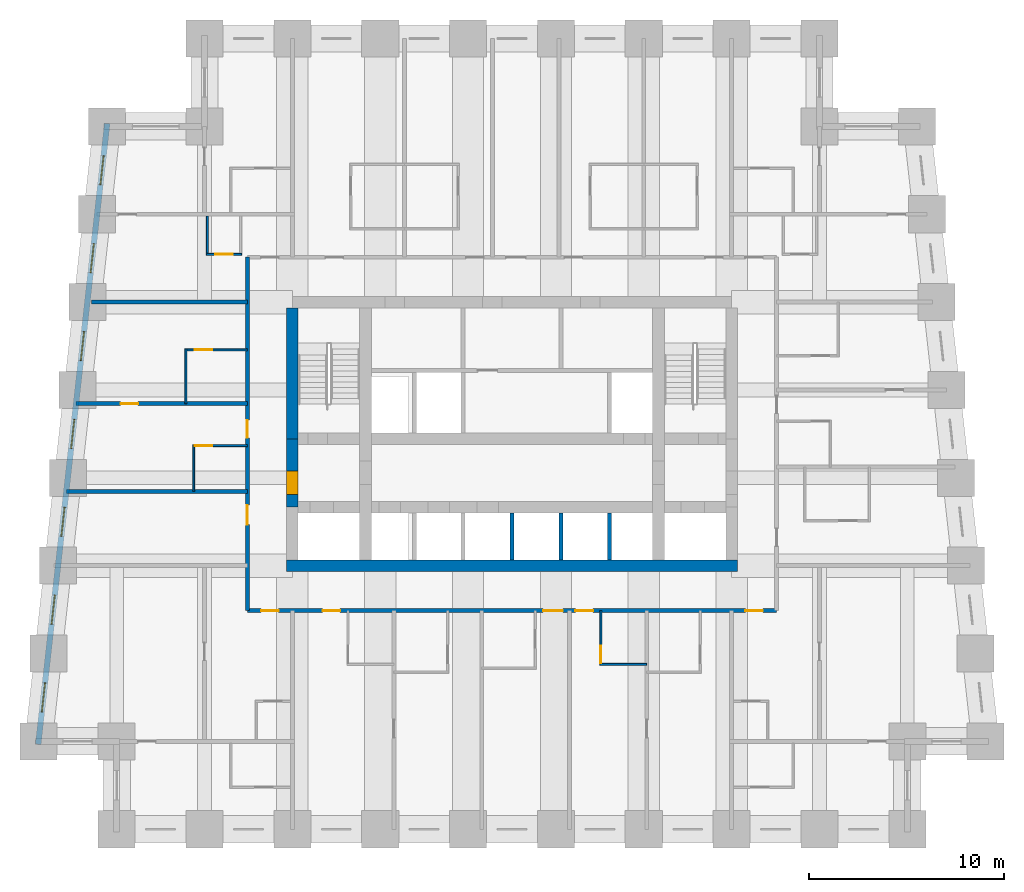
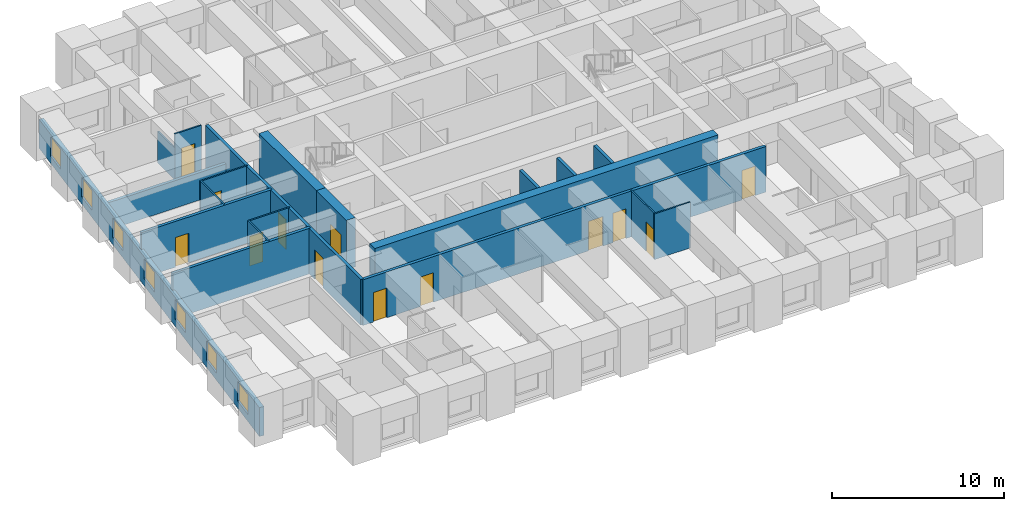
# One storey, part 3 of 8: 20 walls, 13 doors, 7 windows, 20 openings.
"""IFC4 building model written with IfcOpenShell, lengths in metres."""

from ifc_helpers import new_model, si_unit, direction, frame, frame_2d, origin, place, context, subcontext, project, spatial, rectangle, extrude, material, layer, layer_set, type_object, element, fill, save


model = new_model("IFC4")

# Units and contexts
model_context = context("Model", 3, precision=1e-05, world=origin(), true_north=direction((0.0, 1.0)))
body_context = subcontext(model_context, "Body", "Model", "MODEL_VIEW")
ifc_project = project(units=[si_unit("LENGTHUNIT", "METRE"), si_unit("AREAUNIT", "SQUARE_METRE"), si_unit("VOLUMEUNIT", "CUBIC_METRE"), si_unit("PLANEANGLEUNIT", "RADIAN"), si_unit("MASSUNIT", "GRAM", prefix="KILO")], contexts=[model_context])

# Site, building, storey
site_placement = place(None, origin())
site = spatial("IfcSite", under=ifc_project, at=site_placement, CompositionType="ELEMENT")
building_placement = place(site_placement, origin())
building = spatial("IfcBuilding", under=site, at=building_placement, Name="Kilele Tower Hotel", CompositionType="ELEMENT")
storey_placement = place(building_placement, frame((0.0, 0.0, 75.199951171875)))
storey = spatial("IfcBuildingStorey", under=building, at=storey_placement, Name="L18", CompositionType="ELEMENT", Elevation=75.199951171875)

# Wall
ifc_material_1 = material(Name="Moisture-resistant board")
ifc_layer_1 = layer(ifc_material_1, 0.10009765625)
ifc_layer_set_1 = layer_set([ifc_layer_1], Name="Moisture-resistant board")
wall_type_1 = type_object("IfcWallType", Name="Bathroom partition 100", PredefinedType="PLUMBINGWALL", material=ifc_layer_set_1)
wall_1_placement = place(storey_placement, frame((29.25, 8.449951171875, 0.0), z_axis=(0.0, 0.0, 1.0), x_axis=(1.0, 0.0, 0.0)))
element("IfcWall", 1, at=wall_1_placement, inside=storey, type_object=wall_type_1, Name="Bathroom partition 100 L18", PredefinedType="PLUMBINGWALL", context=body_context, shape_type="SweptSolid", body=[
    extrude(rectangle(XDim=2.39990234375, YDim=0.10009765625, at=frame_2d((1.199951171875, 0.0))), origin(), (0.0, 0.0, 1.0), 3.25),
])

# Wall, opening, door
wall_2_placement = place(storey_placement, frame((29.300048828125, 11.199951171875, 0.0), z_axis=(0.0, 0.0, 1.0), x_axis=(0.0, -1.0, 0.0)))
wall_2 = element("IfcWall", 2, at=wall_2_placement, inside=storey, type_object=wall_type_1, Name="Bathroom partition 100 L18", PredefinedType="PLUMBINGWALL", context=body_context, shape_type="SweptSolid", body=[
    extrude(rectangle(XDim=2.800048828125, YDim=0.10009765625, at=frame_2d((1.39990234375, 0.0))), origin(), (0.0, 0.0, 1.0), 3.25),
])
opening_1_placement = place(wall_2_placement, frame((2.699951171875, 0.0, 0.0), z_axis=(0.0, 0.0, 1.0), x_axis=(-1.0, 0.0, 0.0)))
opening_1 = element("IfcOpeningElement", 3, at=opening_1_placement, cuts=wall_2, Name="Opening D2A", PredefinedType="OPENING", context=body_context, shape_type="SweptSolid", body=[
    extrude(rectangle(XDim=0.89990234375, YDim=2.10009765625, at=frame_2d((0.449951171875, 1.050048828125))), frame((0.0, 0.06005859375, 0.0), z_axis=(0.0, -1.0, 0.0), x_axis=(1.0, 0.0, 0.0)), (0.0, 0.0, 1.0), 0.1201171875),
])
ifc_material_2 = material(Name="Timber door leaf in hardwood frame", Category="wood")
door_type_1 = type_object("IfcDoorType", Name="Bathroom door 900", OperationType="SINGLE_SWING_LEFT", PredefinedType="DOOR", material=ifc_material_2)
door_1_placement = place(opening_1_placement, origin())
door_1 = element("IfcDoor", 4, at=door_1_placement, inside=storey, type_object=door_type_1, Name="Bathroom door 1804B", OperationType="SINGLE_SWING_LEFT", OverallHeight=2.10009765625, OverallWidth=0.89990234375, PredefinedType="DOOR", context=body_context, shape_type="SweptSolid", body=[
    extrude(rectangle(XDim=0.89990234375, YDim=2.10009765625, at=frame_2d((0.449951171875, 1.050048828125))), frame((0.0, 0.02490234375, 0.0), z_axis=(0.0, -1.0, 0.0), x_axis=(1.0, 0.0, 0.0)), (0.0, 0.0, 1.0), 0.050048828125),
])
fill(opening_1, door_1)

# Wall
wall_3_placement = place(storey_placement, frame((8.449951171875, 17.300048828125, 0.0), z_axis=(0.0, 0.0, 1.0), x_axis=(0.0, 1.0, 0.0)))
element("IfcWall", 5, at=wall_3_placement, inside=storey, type_object=wall_type_1, Name="Bathroom partition 100 L18", PredefinedType="PLUMBINGWALL", context=body_context, shape_type="SweptSolid", body=[
    extrude(rectangle(XDim=2.39990234375, YDim=0.10009765625, at=frame_2d((1.199951171875, 0.0))), origin(), (0.0, 0.0, 1.0), 3.25),
])

# Wall, opening, door
wall_4_placement = place(storey_placement, frame((11.199951171875, 19.64990234375, 0.0), z_axis=(0.0, 0.0, 1.0), x_axis=(-1.0, 0.0, 0.0)))
wall_4 = element("IfcWall", 6, at=wall_4_placement, inside=storey, type_object=wall_type_1, Name="Bathroom partition 100 L18", PredefinedType="PLUMBINGWALL", context=body_context, shape_type="SweptSolid", body=[
    extrude(rectangle(XDim=2.800048828125, YDim=0.10009765625, at=frame_2d((1.39990234375, 0.0))), origin(), (0.0, 0.0, 1.0), 3.25),
])
opening_2_placement = place(wall_4_placement, frame((2.699951171875, 0.0, 0.0), z_axis=(0.0, 0.0, 1.0), x_axis=(-1.0, 0.0, 0.0)))
opening_2 = element("IfcOpeningElement", 7, at=opening_2_placement, cuts=wall_4, Name="Opening D2A", PredefinedType="OPENING", context=body_context, shape_type="SweptSolid", body=[
    extrude(rectangle(XDim=0.89990234375, YDim=2.10009765625, at=frame_2d((0.449951171875, 1.050048828125))), frame((0.0, 0.06005859375, 0.0), z_axis=(0.0, -1.0, 0.0), x_axis=(1.0, 0.0, 0.0)), (0.0, 0.0, 1.0), 0.1201171875),
])
door_2_placement = place(opening_2_placement, origin())
door_2 = element("IfcDoor", 8, at=door_2_placement, inside=storey, type_object=door_type_1, Name="Bathroom door 1815B", OperationType="SINGLE_SWING_LEFT", OverallHeight=2.10009765625, OverallWidth=0.89990234375, PredefinedType="DOOR", context=body_context, shape_type="SweptSolid", body=[
    extrude(rectangle(XDim=0.89990234375, YDim=2.10009765625, at=frame_2d((0.449951171875, 1.050048828125))), frame((0.0, 0.02490234375, 0.0), z_axis=(0.0, -1.0, 0.0), x_axis=(1.0, 0.0, 0.0)), (0.0, 0.0, 1.0), 0.050048828125),
])
fill(opening_2, door_2)

# Wall
wall_5_placement = place(storey_placement, frame((8.050048828125, 21.800048828125, 0.0), z_axis=(0.0, 0.0, 1.0), x_axis=(0.0, 1.0, 0.0)))
element("IfcWall", 9, at=wall_5_placement, inside=storey, type_object=wall_type_1, Name="Bathroom partition 100 L18", PredefinedType="PLUMBINGWALL", context=body_context, shape_type="SweptSolid", body=[
    extrude(rectangle(XDim=2.800048828125, YDim=0.10009765625, at=frame_2d((1.39990234375, 0.0))), origin(), (0.0, 0.0, 1.0), 3.25),
])

# Wall, opening, door
wall_6_placement = place(storey_placement, frame((11.199951171875, 24.550048828125, 0.0), z_axis=(0.0, 0.0, 1.0), x_axis=(-1.0, 0.0, 0.0)))
wall_6 = element("IfcWall", 10, at=wall_6_placement, inside=storey, type_object=wall_type_1, Name="Bathroom partition 100 L18", PredefinedType="PLUMBINGWALL", context=body_context, shape_type="SweptSolid", body=[
    extrude(rectangle(XDim=3.199951171875, YDim=0.10009765625, at=frame_2d((1.60009765625, 0.0))), origin(), (0.0, 0.0, 1.0), 3.25),
])
opening_3_placement = place(wall_6_placement, frame((2.699951171875, 0.0, 0.0), z_axis=(0.0, 0.0, 1.0), x_axis=(-1.0, 0.0, 0.0)))
opening_3 = element("IfcOpeningElement", 11, at=opening_3_placement, cuts=wall_6, Name="Opening D2A", PredefinedType="OPENING", context=body_context, shape_type="SweptSolid", body=[
    extrude(rectangle(XDim=0.89990234375, YDim=2.10009765625, at=frame_2d((0.449951171875, 1.050048828125))), frame((0.0, 0.06005859375, 0.0), z_axis=(0.0, -1.0, 0.0), x_axis=(1.0, 0.0, 0.0)), (0.0, 0.0, 1.0), 0.1201171875),
])
door_3_placement = place(opening_3_placement, origin())
door_3 = element("IfcDoor", 12, at=door_3_placement, inside=storey, type_object=door_type_1, Name="Bathroom door 1816B", OperationType="SINGLE_SWING_LEFT", OverallHeight=2.10009765625, OverallWidth=0.89990234375, PredefinedType="DOOR", context=body_context, shape_type="SweptSolid", body=[
    extrude(rectangle(XDim=0.89990234375, YDim=2.10009765625, at=frame_2d((0.449951171875, 1.050048828125))), frame((0.0, 0.02490234375, 0.0), z_axis=(0.0, -1.0, 0.0), x_axis=(1.0, 0.0, 0.0)), (0.0, 0.0, 1.0), 0.050048828125),
])
fill(opening_3, door_3)

# Wall
wall_7_placement = place(storey_placement, frame((9.14990234375, 31.39990234375, 0.0), z_axis=(0.0, 0.0, 1.0), x_axis=(0.0, -1.0, 0.0)))
element("IfcWall", 13, at=wall_7_placement, inside=storey, type_object=wall_type_1, Name="Bathroom partition 100 L18", PredefinedType="PLUMBINGWALL", context=body_context, shape_type="SweptSolid", body=[
    extrude(rectangle(XDim=2.0, YDim=0.10009765625, at=frame_2d((1.0, 0.0))), origin(), (0.0, 0.0, 1.0), 2.25),
])

# Wall, opening, door
wall_8_placement = place(storey_placement, frame((10.89990234375, 29.449951171875, 0.0), z_axis=(0.0, 0.0, 1.0), x_axis=(-1.0, 0.0, 0.0)))
wall_8 = element("IfcWall", 14, at=wall_8_placement, inside=storey, type_object=wall_type_1, Name="Bathroom partition 100 L18", PredefinedType="PLUMBINGWALL", context=body_context, shape_type="SweptSolid", body=[
    extrude(rectangle(XDim=1.7998046875, YDim=0.10009765625, at=frame_2d((0.89990234375, 0.0))), origin(), (0.0, 0.0, 1.0), 3.25),
])
opening_4_placement = place(wall_8_placement, frame((0.449951171875, 0.0, 0.0)))
opening_4 = element("IfcOpeningElement", 15, at=opening_4_placement, cuts=wall_8, Name="Opening D2A", PredefinedType="OPENING", context=body_context, shape_type="SweptSolid", body=[
    extrude(rectangle(XDim=0.89990234375, YDim=2.10009765625, at=frame_2d((0.449951171875, 1.050048828125))), frame((0.0, 0.06005859375, 0.0), z_axis=(0.0, -1.0, 0.0), x_axis=(1.0, 0.0, 0.0)), (0.0, 0.0, 1.0), 0.1201171875),
])
door_4_placement = place(opening_4_placement, origin())
door_4 = element("IfcDoor", 16, at=door_4_placement, inside=storey, type_object=door_type_1, Name="Bathroom door 1826P", OperationType="SINGLE_SWING_LEFT", OverallHeight=2.10009765625, OverallWidth=0.89990234375, PredefinedType="DOOR", context=body_context, shape_type="SweptSolid", body=[
    extrude(rectangle(XDim=0.89990234375, YDim=2.10009765625, at=frame_2d((0.449951171875, 1.050048828125))), frame((0.0, 0.02490234375, 0.0), z_axis=(0.0, -1.0, 0.0), x_axis=(1.0, 0.0, 0.0)), (0.0, 0.0, 1.0), 0.050048828125),
])
fill(opening_4, door_4)

# Walls
ifc_material_3 = material(Name="Concrete C60/75", Category="concrete")
ifc_layer_2 = layer(ifc_material_3, 0.60009765625)
ifc_layer_set_2 = layer_set([ifc_layer_2], Name="Concrete C60/75")
wall_type_2 = type_object("IfcWallType", Name="Core wall 600 C60/75", PredefinedType="SHEAR", material=ifc_layer_set_2)
wall_9_placement = place(storey_placement, frame((13.199951171875, 13.5, 0.0), z_axis=(0.0, 0.0, 1.0), x_axis=(1.0, 0.0, 0.0)))
element("IfcWall", 17, at=wall_9_placement, inside=storey, type_object=wall_type_2, Name="Core wall S L18", PredefinedType="SHEAR", context=body_context, shape_type="SweptSolid", body=[
    extrude(rectangle(XDim=23.10009765625, YDim=0.60009765625, at=frame_2d((11.550048828125, 0.0))), origin(), (0.0, 0.0, 1.0), 3.5),
])
wall_10_placement = place(storey_placement, frame((13.5, 26.699951171875, 0.0), z_axis=(0.0, 0.0, 1.0), x_axis=(0.0, -1.0, 0.0)))
element("IfcWall", 18, at=wall_10_placement, inside=storey, type_object=wall_type_2, Name="Core wall W1 L18", PredefinedType="SHEAR", context=body_context, shape_type="SweptSolid", body=[
    extrude(rectangle(XDim=6.699951171875, YDim=0.60009765625, at=frame_2d((3.35009765625, 0.0))), origin(), (0.0, 0.0, 1.0), 3.5),
])

# Wall, opening, door
wall_11_placement = place(storey_placement, frame((13.5, 20.0, 0.0), z_axis=(0.0, 0.0, 1.0), x_axis=(0.0, -1.0, 0.0)))
wall_11 = element("IfcWall", 19, at=wall_11_placement, inside=storey, type_object=wall_type_2, Name="Core wall W2 L18", PredefinedType="SHEAR", context=body_context, shape_type="SweptSolid", body=[
    extrude(rectangle(XDim=3.5, YDim=0.60009765625, at=frame_2d((1.75, 0.0))), origin(), (0.0, 0.0, 1.0), 3.5),
])
opening_5_placement = place(wall_11_placement, frame((1.64990234375, 0.0, 0.0)))
opening_5 = element("IfcOpeningElement", 20, at=opening_5_placement, cuts=wall_11, Name="Opening D4", PredefinedType="OPENING", context=body_context, shape_type="SweptSolid", body=[
    extrude(rectangle(XDim=1.199951171875, YDim=2.10009765625, at=frame_2d((0.60009765625, 1.050048828125))), frame((0.0, 0.31005859375, 0.0), z_axis=(0.0, -1.0, 0.0), x_axis=(1.0, 0.0, 0.0)), (0.0, 0.0, 1.0), 0.6201171875),
])
ifc_material_4 = material(Name="Timber door leaf in hardwood frame", Category="wood")
door_type_2 = type_object("IfcDoorType", Name="Firefighting lobby door 1200", OperationType="SINGLE_SWING_LEFT", PredefinedType="DOOR", material=ifc_material_4)
door_5_placement = place(opening_5_placement, origin())
door_5 = element("IfcDoor", 21, at=door_5_placement, inside=storey, type_object=door_type_2, Name="Lobby door L18", OperationType="SINGLE_SWING_RIGHT", OverallHeight=2.10009765625, OverallWidth=1.199951171875, PredefinedType="DOOR", context=body_context, shape_type="SweptSolid", body=[
    extrude(rectangle(XDim=1.199951171875, YDim=2.10009765625, at=frame_2d((0.60009765625, 1.050048828125))), frame((0.0, 0.2998046875, 0.0), z_axis=(0.0, -1.0, 0.0), x_axis=(1.0, 0.0, 0.0)), (0.0, 0.0, 1.0), 0.599609375),
])
fill(opening_5, door_5)

# Wall, openings, doors
ifc_material_5 = material(Name="Blockwork, plastered both sides", Category="masonry")
ifc_layer_3 = layer(ifc_material_5, 0.199951171875)
ifc_layer_set_3 = layer_set([ifc_layer_3], Name="Blockwork, plastered both sides")
wall_type_3 = type_object("IfcWallType", Name="Corridor wall 200", PredefinedType="PARTITIONING", material=ifc_layer_set_3)
wall_12_placement = place(storey_placement, frame((11.199951171875, 11.199951171875, 0.0), z_axis=(0.0, 0.0, 1.0), x_axis=(1.0, 0.0, 0.0)))
wall_12 = element("IfcWall", 22, at=wall_12_placement, inside=storey, type_object=wall_type_3, Name="Corridor wall 200 L18", PredefinedType="PARTITIONING", context=body_context, shape_type="SweptSolid", body=[
    extrude(rectangle(XDim=27.10009765625, YDim=0.199951171875, at=frame_2d((13.550048828125, 0.0))), origin(), (0.0, 0.0, 1.0), 3.25),
])
opening_6_placement = place(wall_12_placement, frame((4.75, 0.0, 0.0), z_axis=(0.0, 0.0, 1.0), x_axis=(-1.0, 0.0, 0.0)))
opening_6 = element("IfcOpeningElement", 23, at=opening_6_placement, cuts=wall_12, Name="Opening D1", PredefinedType="OPENING", context=body_context, shape_type="SweptSolid", body=[
    extrude(rectangle(XDim=0.89990234375, YDim=2.10009765625, at=frame_2d((0.449951171875, 1.050048828125))), frame((0.0, 0.10986328125, 0.0), z_axis=(0.0, -1.0, 0.0), x_axis=(1.0, 0.0, 0.0)), (0.0, 0.0, 1.0), 0.219970703125),
])
opening_7_placement = place(wall_12_placement, frame((16.14990234375, 0.0, 0.0), z_axis=(0.0, 0.0, 1.0), x_axis=(-1.0, 0.0, 0.0)))
opening_7 = element("IfcOpeningElement", 24, at=opening_7_placement, cuts=wall_12, Name="Opening D1A", PredefinedType="OPENING", context=body_context, shape_type="SweptSolid", body=[
    extrude(rectangle(XDim=1.0, YDim=2.10009765625, at=frame_2d((0.5, 1.050048828125))), frame((0.0, 0.10986328125, 0.0), z_axis=(0.0, -1.0, 0.0), x_axis=(1.0, 0.0, 0.0)), (0.0, 0.0, 1.0), 0.219970703125),
])
opening_8_placement = place(wall_12_placement, frame((17.699951171875, 0.0, 0.0), z_axis=(0.0, 0.0, 1.0), x_axis=(-1.0, 0.0, 0.0)))
opening_8 = element("IfcOpeningElement", 25, at=opening_8_placement, cuts=wall_12, Name="Opening D1", PredefinedType="OPENING", context=body_context, shape_type="SweptSolid", body=[
    extrude(rectangle(XDim=0.89990234375, YDim=2.10009765625, at=frame_2d((0.449951171875, 1.050048828125))), frame((0.0, 0.10986328125, 0.0), z_axis=(0.0, -1.0, 0.0), x_axis=(1.0, 0.0, 0.0)), (0.0, 0.0, 1.0), 0.219970703125),
])
opening_9_placement = place(wall_12_placement, frame((1.599853515625, 0.0, 0.0), z_axis=(0.0, 0.0, 1.0), x_axis=(-1.0, 0.0, 0.0)))
opening_9 = element("IfcOpeningElement", 26, at=opening_9_placement, cuts=wall_12, Name="Opening D1", PredefinedType="OPENING", context=body_context, shape_type="SweptSolid", body=[
    extrude(rectangle(XDim=0.89990234375, YDim=2.10009765625, at=frame_2d((0.449951171875, 1.050048828125))), frame((0.0, 0.10986328125, 0.0), z_axis=(0.0, -1.0, 0.0), x_axis=(1.0, 0.0, 0.0)), (0.0, 0.0, 1.0), 0.219970703125),
])
opening_10_placement = place(wall_12_placement, frame((26.39990234375, 0.0, 0.0), z_axis=(0.0, 0.0, 1.0), x_axis=(-1.0, 0.0, 0.0)))
opening_10 = element("IfcOpeningElement", 27, at=opening_10_placement, cuts=wall_12, Name="Opening D1", PredefinedType="OPENING", context=body_context, shape_type="SweptSolid", body=[
    extrude(rectangle(XDim=0.89990234375, YDim=2.10009765625, at=frame_2d((0.449951171875, 1.050048828125))), frame((0.0, 0.10986328125, 0.0), z_axis=(0.0, -1.0, 0.0), x_axis=(1.0, 0.0, 0.0)), (0.0, 0.0, 1.0), 0.219970703125),
])
ifc_material_6 = material(Name="Timber door leaf in hardwood frame", Category="wood")
door_type_3 = type_object("IfcDoorType", Name="Guest room entrance door 1000", OperationType="SINGLE_SWING_LEFT", PredefinedType="DOOR", material=ifc_material_6)
door_6_placement = place(opening_7_placement, origin())
door_6 = element("IfcDoor", 28, at=door_6_placement, inside=storey, type_object=door_type_3, Name="Room entrance 1803", OperationType="SINGLE_SWING_LEFT", OverallHeight=2.10009765625, OverallWidth=1.0, PredefinedType="DOOR", context=body_context, shape_type="SweptSolid", body=[
    extrude(rectangle(XDim=1.0, YDim=2.10009765625, at=frame_2d((0.5, 1.050048828125))), frame((0.0, 0.02490234375, 0.0), z_axis=(0.0, -1.0, 0.0), x_axis=(1.0, 0.0, 0.0)), (0.0, 0.0, 1.0), 0.050048828125),
])
fill(opening_7, door_6)
ifc_material_7 = material(Name="Timber door leaf in hardwood frame", Category="wood")
door_type_4 = type_object("IfcDoorType", Name="Guest room entrance door 900", OperationType="SINGLE_SWING_LEFT", PredefinedType="DOOR", material=ifc_material_7)
door_7_placement = place(opening_6_placement, origin())
door_7 = element("IfcDoor", 29, at=door_7_placement, inside=storey, type_object=door_type_4, Name="Room entrance 1801", OperationType="SINGLE_SWING_LEFT", OverallHeight=2.10009765625, OverallWidth=0.89990234375, PredefinedType="DOOR", context=body_context, shape_type="SweptSolid", body=[
    extrude(rectangle(XDim=0.89990234375, YDim=2.10009765625, at=frame_2d((0.449951171875, 1.050048828125))), frame((0.0, 0.02490234375, 0.0), z_axis=(0.0, -1.0, 0.0), x_axis=(1.0, 0.0, 0.0)), (0.0, 0.0, 1.0), 0.050048828125),
])
fill(opening_6, door_7)
door_8_placement = place(opening_8_placement, origin())
door_8 = element("IfcDoor", 30, at=door_8_placement, inside=storey, type_object=door_type_4, Name="Room entrance 1804", OperationType="SINGLE_SWING_RIGHT", OverallHeight=2.10009765625, OverallWidth=0.89990234375, PredefinedType="DOOR", context=body_context, shape_type="SweptSolid", body=[
    extrude(rectangle(XDim=0.89990234375, YDim=2.10009765625, at=frame_2d((0.449951171875, 1.050048828125))), frame((0.0, 0.02490234375, 0.0), z_axis=(0.0, -1.0, 0.0), x_axis=(1.0, 0.0, 0.0)), (0.0, 0.0, 1.0), 0.050048828125),
])
fill(opening_8, door_8)
door_9_placement = place(opening_9_placement, origin())
door_9 = element("IfcDoor", 31, at=door_9_placement, inside=storey, type_object=door_type_4, Name="Room entrance 1817", OperationType="SINGLE_SWING_LEFT", OverallHeight=2.10009765625, OverallWidth=0.89990234375, PredefinedType="DOOR", context=body_context, shape_type="SweptSolid", body=[
    extrude(rectangle(XDim=0.89990234375, YDim=2.10009765625, at=frame_2d((0.449951171875, 1.050048828125))), frame((0.0, 0.02490234375, 0.0), z_axis=(0.0, -1.0, 0.0), x_axis=(1.0, 0.0, 0.0)), (0.0, 0.0, 1.0), 0.050048828125),
])
fill(opening_9, door_9)
door_10_placement = place(opening_10_placement, origin())
door_10 = element("IfcDoor", 32, at=door_10_placement, inside=storey, type_object=door_type_4, Name="Room entrance 1820", OperationType="SINGLE_SWING_RIGHT", OverallHeight=2.10009765625, OverallWidth=0.89990234375, PredefinedType="DOOR", context=body_context, shape_type="SweptSolid", body=[
    extrude(rectangle(XDim=0.89990234375, YDim=2.10009765625, at=frame_2d((0.449951171875, 1.050048828125))), frame((0.0, 0.02490234375, 0.0), z_axis=(0.0, -1.0, 0.0), x_axis=(1.0, 0.0, 0.0)), (0.0, 0.0, 1.0), 0.050048828125),
])
fill(opening_10, door_10)

wall_13_placement = place(storey_placement, frame((11.199951171875, 11.199951171875, 0.0), z_axis=(0.0, 0.0, 1.0), x_axis=(0.0, 1.0, 0.0)))
wall_13 = element("IfcWall", 33, at=wall_13_placement, inside=storey, type_object=wall_type_3, Name="Corridor wall 200 L18", PredefinedType="PARTITIONING", context=body_context, shape_type="SweptSolid", body=[
    extrude(rectangle(XDim=18.10009765625, YDim=0.199951171875, at=frame_2d((9.050048828125, 0.0))), origin(), (0.0, 0.0, 1.0), 3.25),
])
opening_11_placement = place(wall_13_placement, frame((4.39990234375, 0.0, 0.0)))
opening_11 = element("IfcOpeningElement", 34, at=opening_11_placement, cuts=wall_13, Name="Opening D8", PredefinedType="OPENING", context=body_context, shape_type="SweptSolid", body=[
    extrude(rectangle(XDim=1.0, YDim=2.10009765625, at=frame_2d((0.5, 1.050048828125))), frame((0.0, 0.10986328125, 0.0), z_axis=(0.0, -1.0, 0.0), x_axis=(1.0, 0.0, 0.0)), (0.0, 0.0, 1.0), 0.219970703125),
])
opening_12_placement = place(wall_13_placement, frame((8.85009765625, 0.0, 0.0)))
opening_12 = element("IfcOpeningElement", 35, at=opening_12_placement, cuts=wall_13, Name="Opening D1", PredefinedType="OPENING", context=body_context, shape_type="SweptSolid", body=[
    extrude(rectangle(XDim=0.89990234375, YDim=2.10009765625, at=frame_2d((0.449951171875, 1.050048828125))), frame((0.0, 0.10986328125, 0.0), z_axis=(0.0, -1.0, 0.0), x_axis=(1.0, 0.0, 0.0)), (0.0, 0.0, 1.0), 0.219970703125),
])
ifc_material_8 = material(Name="Timber door leaf in hardwood frame", Category="wood")
door_type_5 = type_object("IfcDoorType", Name="Door 1000", OperationType="SINGLE_SWING_LEFT", PredefinedType="DOOR", material=ifc_material_8)
door_11_placement = place(opening_11_placement, origin())
door_11 = element("IfcDoor", 36, at=door_11_placement, inside=storey, type_object=door_type_5, Name="Room entrance 1814", OperationType="SINGLE_SWING_RIGHT", OverallHeight=2.10009765625, OverallWidth=1.0, PredefinedType="DOOR", context=body_context, shape_type="SweptSolid", body=[
    extrude(rectangle(XDim=1.0, YDim=2.10009765625, at=frame_2d((0.5, 1.050048828125))), frame((0.0, 0.02490234375, 0.0), z_axis=(0.0, -1.0, 0.0), x_axis=(1.0, 0.0, 0.0)), (0.0, 0.0, 1.0), 0.050048828125),
])
fill(opening_11, door_11)
door_12_placement = place(opening_12_placement, origin())
door_12 = element("IfcDoor", 37, at=door_12_placement, inside=storey, type_object=door_type_4, Name="Room entrance 1815", OperationType="SINGLE_SWING_LEFT", OverallHeight=2.10009765625, OverallWidth=0.89990234375, PredefinedType="DOOR", context=body_context, shape_type="SweptSolid", body=[
    extrude(rectangle(XDim=0.89990234375, YDim=2.10009765625, at=frame_2d((0.449951171875, 1.050048828125))), frame((0.0, 0.02490234375, 0.0), z_axis=(0.0, -1.0, 0.0), x_axis=(1.0, 0.0, 0.0)), (0.0, 0.0, 1.0), 0.050048828125),
])
fill(opening_12, door_12)

# Wall
ifc_material_9 = material(Name="Blockwork, plastered both sides", Category="masonry")
ifc_layer_4 = layer(ifc_material_9, 0.199951171875)
ifc_layer_set_4 = layer_set([ifc_layer_4], Name="Blockwork, plastered both sides")
wall_type_4 = type_object("IfcWallType", Name="Party wall 200", PredefinedType="PARTITIONING", material=ifc_layer_set_4)
wall_14_placement = place(storey_placement, frame((11.199951171875, 17.300048828125, 0.0), z_axis=(0.0, 0.0, 1.0), x_axis=(-1.0, 0.0, 0.0)))
element("IfcWall", 38, at=wall_14_placement, inside=storey, type_object=wall_type_4, Name="Party wall 200 L18", PredefinedType="PARTITIONING", context=body_context, shape_type="SweptSolid", body=[
    extrude(rectangle(XDim=9.27685546875, YDim=0.199951171875, at=frame_2d((4.638427734375, 0.0))), origin(), (0.0, 0.0, 1.0), 3.25),
])

# Wall, opening, door
wall_15_placement = place(storey_placement, frame((11.199951171875, 21.800048828125, 0.0), z_axis=(0.0, 0.0, 1.0), x_axis=(-1.0, 0.0, 0.0)))
wall_15 = element("IfcWall", 39, at=wall_15_placement, inside=storey, type_object=wall_type_4, Name="Party wall 200 L18", PredefinedType="PARTITIONING", context=body_context, shape_type="SweptSolid", body=[
    extrude(rectangle(XDim=8.77685546875, YDim=0.199951171875, at=frame_2d((4.388427734375, 0.0))), origin(), (0.0, 0.0, 1.0), 3.25),
])
opening_13_placement = place(wall_15_placement, frame((5.60009765625, 0.0, 0.0)))
opening_13 = element("IfcOpeningElement", 40, at=opening_13_placement, cuts=wall_15, Name="Opening D3", PredefinedType="OPENING", context=body_context, shape_type="SweptSolid", body=[
    extrude(rectangle(XDim=0.89990234375, YDim=2.10009765625, at=frame_2d((0.449951171875, 1.050048828125))), frame((0.0, 0.10986328125, 0.0), z_axis=(0.0, -1.0, 0.0), x_axis=(1.0, 0.0, 0.0)), (0.0, 0.0, 1.0), 0.219970703125),
])
ifc_material_10 = material(Name="Timber door leaf in hardwood frame", Category="wood")
door_type_6 = type_object("IfcDoorType", Name="Suite internal door 900", OperationType="SINGLE_SWING_LEFT", PredefinedType="DOOR", material=ifc_material_10)
door_13_placement = place(opening_13_placement, origin())
door_13 = element("IfcDoor", 41, at=door_13_placement, inside=storey, type_object=door_type_6, Name="Suite door 1816", OperationType="SINGLE_SWING_RIGHT", OverallHeight=2.10009765625, OverallWidth=0.89990234375, PredefinedType="DOOR", context=body_context, shape_type="SweptSolid", body=[
    extrude(rectangle(XDim=0.89990234375, YDim=2.10009765625, at=frame_2d((0.449951171875, 1.050048828125))), frame((0.0, 0.02490234375, 0.0), z_axis=(0.0, -1.0, 0.0), x_axis=(1.0, 0.0, 0.0)), (0.0, 0.0, 1.0), 0.050048828125),
])
fill(opening_13, door_13)

# Wall
wall_16_placement = place(storey_placement, frame((11.199951171875, 27.0, 0.0), z_axis=(0.0, 0.0, 1.0), x_axis=(-1.0, 0.0, 0.0)))
element("IfcWall", 42, at=wall_16_placement, inside=storey, type_object=wall_type_4, Name="Party wall 200 L18", PredefinedType="PARTITIONING", context=body_context, shape_type="SweptSolid", body=[
    extrude(rectangle(XDim=7.976806640625, YDim=0.199951171875, at=frame_2d((3.98828125, 0.0))), origin(), (0.0, 0.0, 1.0), 1.949951171875),
])

# Wall, openings, windows
ifc_material_11 = material(Name="Concrete C40/50 precast", Category="concrete")
ifc_layer_5 = layer(ifc_material_11, 0.260009765625, Name="Precast backing", Category="LoadBearing")
ifc_material_12 = material(Name="Reconstituted stone finish", Category="masonry")
ifc_layer_6 = layer(ifc_material_12, 0.0400390625, Name="Face mix", Category="Finish")
ifc_layer_set_5 = layer_set([ifc_layer_5, ifc_layer_6], Name="Precast concrete C40/50, reconstituted stone finish")
wall_type_5 = type_object("IfcWallType", Name="Precast stone facade wall 300", PredefinedType="STANDARD", material=ifc_layer_set_5)
wall_17_placement = place(storey_placement, frame((4.0166015625, 36.149169921875, 0.0), z_axis=(0.0, 0.0, 1.0), x_axis=(-0.110433201132, -0.993883548555, 0.0)))
wall_17 = element("IfcWall", 43, at=wall_17_placement, inside=storey, type_object=wall_type_5, Name="Facade wall L18 edge 12", PredefinedType="STANDARD", context=body_context, shape_type="SweptSolid", body=[
    extrude(rectangle(XDim=31.994140625, YDim=0.300048828125, at=frame_2d((15.9970703125, 0.0))), origin(), (0.0, 0.0, 1.0), 2.050048828125),
])
opening_14_placement = place(wall_17_placement, frame((1.6640625, 0.0, 0.5)))
opening_14 = element("IfcOpeningElement", 44, at=opening_14_placement, cuts=wall_17, Name="Opening W1", PredefinedType="OPENING", context=body_context, shape_type="SweptSolid", body=[
    extrude(rectangle(XDim=1.5, YDim=1.39990234375, at=frame_2d((0.75, 0.699951171875))), frame((0.0, 0.159912109375, 0.0), z_axis=(0.0, -1.0, 0.0), x_axis=(1.0, 0.0, 0.0)), (0.0, 0.0, 1.0), 0.320068359375),
])
opening_15_placement = place(wall_17_placement, frame((6.19189453125, 0.0, 0.5)))
opening_15 = element("IfcOpeningElement", 45, at=opening_15_placement, cuts=wall_17, Name="Opening W1", PredefinedType="OPENING", context=body_context, shape_type="SweptSolid", body=[
    extrude(rectangle(XDim=1.5, YDim=1.39990234375, at=frame_2d((0.75, 0.699951171875))), frame((0.0, 0.159912109375, 0.0), z_axis=(0.0, -1.0, 0.0), x_axis=(1.0, 0.0, 0.0)), (0.0, 0.0, 1.0), 0.320068359375),
])
opening_16_placement = place(wall_17_placement, frame((10.718994140625, 0.0, 0.5)))
opening_16 = element("IfcOpeningElement", 46, at=opening_16_placement, cuts=wall_17, Name="Opening W1", PredefinedType="OPENING", context=body_context, shape_type="SweptSolid", body=[
    extrude(rectangle(XDim=1.5, YDim=1.39990234375, at=frame_2d((0.75, 0.699951171875))), frame((0.0, 0.159912109375, 0.0), z_axis=(0.0, -1.0, 0.0), x_axis=(1.0, 0.0, 0.0)), (0.0, 0.0, 1.0), 0.320068359375),
])
opening_17_placement = place(wall_17_placement, frame((15.2470703125, 0.0, 0.5)))
opening_17 = element("IfcOpeningElement", 47, at=opening_17_placement, cuts=wall_17, Name="Opening W1", PredefinedType="OPENING", context=body_context, shape_type="SweptSolid", body=[
    extrude(rectangle(XDim=1.5, YDim=1.39990234375, at=frame_2d((0.75, 0.699951171875))), frame((0.0, 0.159912109375, 0.0), z_axis=(0.0, -1.0, 0.0), x_axis=(1.0, 0.0, 0.0)), (0.0, 0.0, 1.0), 0.320068359375),
])
opening_18_placement = place(wall_17_placement, frame((19.77490234375, 0.0, 0.5)))
opening_18 = element("IfcOpeningElement", 48, at=opening_18_placement, cuts=wall_17, Name="Opening W1", PredefinedType="OPENING", context=body_context, shape_type="SweptSolid", body=[
    extrude(rectangle(XDim=1.5, YDim=1.39990234375, at=frame_2d((0.75, 0.699951171875))), frame((0.0, 0.159912109375, 0.0), z_axis=(0.0, -1.0, 0.0), x_axis=(1.0, 0.0, 0.0)), (0.0, 0.0, 1.0), 0.320068359375),
])
opening_19_placement = place(wall_17_placement, frame((24.302001953125, 0.0, 0.5)))
opening_19 = element("IfcOpeningElement", 49, at=opening_19_placement, cuts=wall_17, Name="Opening W1", PredefinedType="OPENING", context=body_context, shape_type="SweptSolid", body=[
    extrude(rectangle(XDim=1.5, YDim=1.39990234375, at=frame_2d((0.75, 0.699951171875))), frame((0.0, 0.159912109375, 0.0), z_axis=(0.0, -1.0, 0.0), x_axis=(1.0, 0.0, 0.0)), (0.0, 0.0, 1.0), 0.320068359375),
])
opening_20_placement = place(wall_17_placement, frame((28.830078125, 0.0, 0.5)))
opening_20 = element("IfcOpeningElement", 50, at=opening_20_placement, cuts=wall_17, Name="Opening W1", PredefinedType="OPENING", context=body_context, shape_type="SweptSolid", body=[
    extrude(rectangle(XDim=1.5, YDim=1.39990234375, at=frame_2d((0.75, 0.699951171875))), frame((0.0, 0.159912109375, 0.0), z_axis=(0.0, -1.0, 0.0), x_axis=(1.0, 0.0, 0.0)), (0.0, 0.0, 1.0), 0.320068359375),
])
ifc_material_13 = material(Name="Aluminium frame, clear double glazing", Category="aluminium")
window_type = type_object("IfcWindowType", Name="Window W1 1500 x 1400", PartitioningType="SINGLE_PANEL", PredefinedType="WINDOW", material=ifc_material_13)
window_1_placement = place(opening_14_placement, origin())
window_1 = element("IfcWindow", 51, at=window_1_placement, inside=storey, type_object=window_type, Name="Window L18", OverallHeight=1.39990234375, OverallWidth=1.5, PartitioningType="SINGLE_PANEL", PredefinedType="WINDOW", context=body_context, shape_type="SweptSolid", body=[
    extrude(rectangle(XDim=1.5, YDim=1.39990234375, at=frame_2d((0.75, 0.699951171875))), frame((0.0, 0.030029296875, 0.0), z_axis=(0.0, -1.0, 0.0), x_axis=(1.0, 0.0, 0.0)), (0.0, 0.0, 1.0), 0.06005859375),
])
fill(opening_14, window_1)
window_2_placement = place(opening_15_placement, origin())
window_2 = element("IfcWindow", 52, at=window_2_placement, inside=storey, type_object=window_type, Name="Window L18", OverallHeight=1.39990234375, OverallWidth=1.5, PartitioningType="SINGLE_PANEL", PredefinedType="WINDOW", context=body_context, shape_type="SweptSolid", body=[
    extrude(rectangle(XDim=1.5, YDim=1.39990234375, at=frame_2d((0.75, 0.699951171875))), frame((0.0, 0.030029296875, 0.0), z_axis=(0.0, -1.0, 0.0), x_axis=(1.0, 0.0, 0.0)), (0.0, 0.0, 1.0), 0.06005859375),
])
fill(opening_15, window_2)
window_3_placement = place(opening_16_placement, origin())
window_3 = element("IfcWindow", 53, at=window_3_placement, inside=storey, type_object=window_type, Name="Window L18", OverallHeight=1.39990234375, OverallWidth=1.5, PartitioningType="SINGLE_PANEL", PredefinedType="WINDOW", context=body_context, shape_type="SweptSolid", body=[
    extrude(rectangle(XDim=1.5, YDim=1.39990234375, at=frame_2d((0.75, 0.699951171875))), frame((0.0, 0.030029296875, 0.0), z_axis=(0.0, -1.0, 0.0), x_axis=(1.0, 0.0, 0.0)), (0.0, 0.0, 1.0), 0.06005859375),
])
fill(opening_16, window_3)
window_4_placement = place(opening_17_placement, origin())
window_4 = element("IfcWindow", 54, at=window_4_placement, inside=storey, type_object=window_type, Name="Window L18", OverallHeight=1.39990234375, OverallWidth=1.5, PartitioningType="SINGLE_PANEL", PredefinedType="WINDOW", context=body_context, shape_type="SweptSolid", body=[
    extrude(rectangle(XDim=1.5, YDim=1.39990234375, at=frame_2d((0.75, 0.699951171875))), frame((0.0, 0.030029296875, 0.0), z_axis=(0.0, -1.0, 0.0), x_axis=(1.0, 0.0, 0.0)), (0.0, 0.0, 1.0), 0.06005859375),
])
fill(opening_17, window_4)
window_5_placement = place(opening_18_placement, origin())
window_5 = element("IfcWindow", 55, at=window_5_placement, inside=storey, type_object=window_type, Name="Window L18", OverallHeight=1.39990234375, OverallWidth=1.5, PartitioningType="SINGLE_PANEL", PredefinedType="WINDOW", context=body_context, shape_type="SweptSolid", body=[
    extrude(rectangle(XDim=1.5, YDim=1.39990234375, at=frame_2d((0.75, 0.699951171875))), frame((0.0, 0.030029296875, 0.0), z_axis=(0.0, -1.0, 0.0), x_axis=(1.0, 0.0, 0.0)), (0.0, 0.0, 1.0), 0.06005859375),
])
fill(opening_18, window_5)
window_6_placement = place(opening_19_placement, origin())
window_6 = element("IfcWindow", 56, at=window_6_placement, inside=storey, type_object=window_type, Name="Window L18", OverallHeight=1.39990234375, OverallWidth=1.5, PartitioningType="SINGLE_PANEL", PredefinedType="WINDOW", context=body_context, shape_type="SweptSolid", body=[
    extrude(rectangle(XDim=1.5, YDim=1.39990234375, at=frame_2d((0.75, 0.699951171875))), frame((0.0, 0.030029296875, 0.0), z_axis=(0.0, -1.0, 0.0), x_axis=(1.0, 0.0, 0.0)), (0.0, 0.0, 1.0), 0.06005859375),
])
fill(opening_19, window_6)
window_7_placement = place(opening_20_placement, origin())
window_7 = element("IfcWindow", 57, at=window_7_placement, inside=storey, type_object=window_type, Name="Window L18", OverallHeight=1.39990234375, OverallWidth=1.5, PartitioningType="SINGLE_PANEL", PredefinedType="WINDOW", context=body_context, shape_type="SweptSolid", body=[
    extrude(rectangle(XDim=1.5, YDim=1.39990234375, at=frame_2d((0.75, 0.699951171875))), frame((0.0, 0.030029296875, 0.0), z_axis=(0.0, -1.0, 0.0), x_axis=(1.0, 0.0, 0.0)), (0.0, 0.0, 1.0), 0.06005859375),
])
fill(opening_20, window_7)

# Walls
ifc_material_14 = material(Name="Blockwork, fire-rated", Category="masonry")
ifc_layer_7 = layer(ifc_material_14, 0.199951171875)
ifc_layer_set_6 = layer_set([ifc_layer_7], Name="Blockwork, fire-rated")
wall_type_6 = type_object("IfcWallType", Name="Shaft wall 200", PredefinedType="PARTITIONING", material=ifc_layer_set_6)
for number, where, z_axis, x_axis, name in (
    (58, (24.75, 13.800048828125, 0.0), (0.0, 0.0, 1.0), (0.0, 1.0, 0.0), "Shaft wall 200 L18"),
    (59, (27.25, 13.800048828125, 0.0), (0.0, 0.0, 1.0), (0.0, 1.0, 0.0), "Shaft wall 200 L18"),
    (60, (29.75, 13.800048828125, 0.0), (0.0, 0.0, 1.0), (0.0, 1.0, 0.0), "Shaft wall 200 L18"),
):
    element("IfcWall", number, at=place(storey_placement, frame(where, z_axis=z_axis, x_axis=x_axis)), inside=storey, type_object=wall_type_6, Name=name, PredefinedType="PARTITIONING", context=body_context, shape_type="SweptSolid", body=[
        extrude(rectangle(XDim=2.39990234375, YDim=0.199951171875, at=frame_2d((1.199951171875, 0.0))), origin(), (0.0, 0.0, 1.0), 3.25),
    ])

save(model, "model.ifc")
